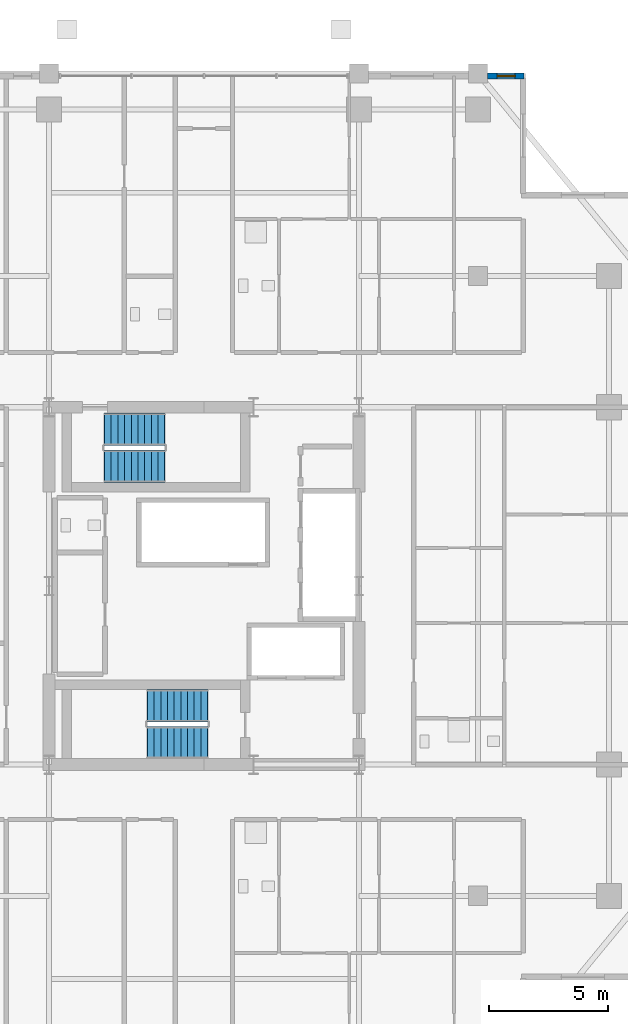
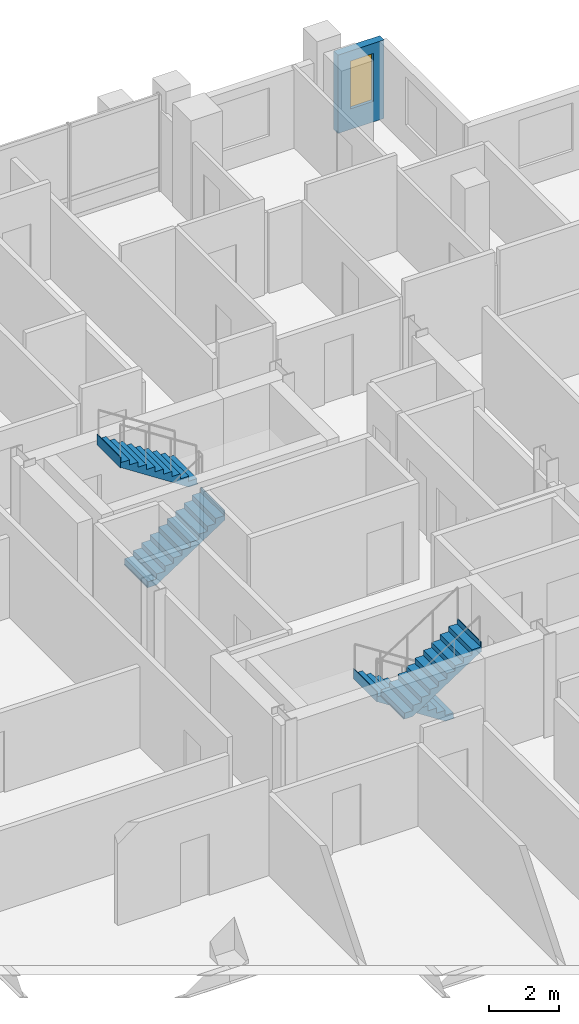
# One storey, part 22 of 24: 4 stair flights, 1 wall, 1 window, 1 opening, 2 elements without a shape of their own.
"""IFC4 building model written with IfcOpenShell, lengths in metres."""

from ifc_helpers import new_model, si_unit, direction, frame, frame_2d, origin, place, context, subcontext, project, spatial, polyline, rectangle, outline, extrude, material, layer, layer_set, type_object, element, fill, aggregate, save


model = new_model("IFC4")

# Units and contexts
model_context = context("Model", 3, precision=1e-05, world=origin(), true_north=direction((0.0, 1.0)))
body_context = subcontext(model_context, "Body", "Model", "MODEL_VIEW")
ifc_project = project(units=[si_unit("LENGTHUNIT", "METRE"), si_unit("AREAUNIT", "SQUARE_METRE"), si_unit("VOLUMEUNIT", "CUBIC_METRE"), si_unit("PLANEANGLEUNIT", "RADIAN"), si_unit("MASSUNIT", "GRAM", prefix="KILO")], contexts=[model_context])

# Site, building, storey
site_placement = place(None, origin())
site = spatial("IfcSite", under=ifc_project, at=site_placement, CompositionType="ELEMENT")
building_placement = place(site_placement, origin())
building = spatial("IfcBuilding", under=site, at=building_placement, Name="Barlavira Tower and Art Museum", CompositionType="ELEMENT")
storey_placement = place(building_placement, frame((0.0, 0.0, 180.0)))
storey = spatial("IfcBuildingStorey", under=building, at=storey_placement, Name="L46", CompositionType="ELEMENT", Elevation=180.0)

# Wall, opening, window
ifc_material_1 = material(Name="Precast concrete C40", Category="concrete")
ifc_layer = layer(ifc_material_1, 0.25, Name="Precast concrete C40")
ifc_layer_set = layer_set([ifc_layer], Name="Precast concrete C40")
wall_type = type_object("IfcWallType", Name="Notched Corner Spandrel Wall 250 Precast Concrete C40", PredefinedType="SOLIDWALL", material=ifc_layer_set)
wall_placement = place(storey_placement, frame((13.425048828125, 21.39990234375, 0.0), z_axis=(0.0, 0.0, 1.0), x_axis=(-1.0, 0.0, 0.0)))
wall = element("IfcWall", 1, at=wall_placement, inside=storey, type_object=wall_type, Name="L46 Coastal Facade Pier Wall CW3-L46-N-1", PredefinedType="SOLIDWALL", context=body_context, shape_type="SweptSolid", body=[
    extrude(rectangle(XDim=1.530029296875, YDim=0.25, at=frame_2d((0.76513671875, 0.0))), origin(), (0.0, 0.0, 1.0), 2.748046875),
])
opening_placement = place(wall_placement, frame((0.363037109375, 0.0, 0.719970703125)))
opening = element("IfcOpeningElement", 2, at=opening_placement, cuts=wall, Name="Opening WN-06", PredefinedType="OPENING", context=body_context, shape_type="SweptSolid", body=[
    extrude(rectangle(XDim=0.760009765625, YDim=1.679931640625, at=frame_2d((0.3798828125, 0.83984375))), frame((0.0, 0.135009765625, 0.0), z_axis=(0.0, -1.0, 0.0), x_axis=(1.0, 0.0, 0.0)), (0.0, 0.0, 1.0), 0.27001953125),
])
ifc_material_2 = material(Name="Low-iron coastal laminated glass", Category="glass")
window_type = type_object("IfcWindowType", Name="Recessed Narrow Pier Window 760x1680", PartitioningType="SINGLE_PANEL", PredefinedType="WINDOW", material=ifc_material_2)
window_placement = place(opening_placement, origin())
window = element("IfcWindow", 3, at=window_placement, inside=storey, type_object=window_type, Name="L46 Punched Facade Window EWP-CW3-L46-N-1-1", OverallHeight=1.679931640625, OverallWidth=0.760009765625, PartitioningType="SINGLE_PANEL", PredefinedType="WINDOW", context=body_context, shape_type="SweptSolid", body=[
    extrude(rectangle(XDim=0.760009765625, YDim=1.679931640625, at=frame_2d((0.3798828125, 0.83984375))), frame((0.0, 0.030029296875, 0.0), z_axis=(0.0, -1.0, 0.0), x_axis=(1.0, 0.0, 0.0)), (0.0, 0.0, 1.0), 0.06005859375),
])
fill(opening, window)

# Stair, stair flights
ifc_material_3 = material(Name="Concrete C45", Category="concrete")
stair_type_1 = type_object("IfcStairType", Name="Tower North Dog-Leg Exit Stair Assembly Concrete C45", PredefinedType="TWO_QUARTER_TURN_STAIR", material=ifc_material_3)
stair_1_placement = place(storey_placement, origin())
stair_1 = element("IfcStair", 4, at=stair_1_placement, inside=storey, type_object=stair_type_1, Name="L46 Tower North Exit Stair ST-T2", PredefinedType="TWO_QUARTER_TURN_STAIR")
ifc_material_4 = material(Name="Precast concrete C45", Category="concrete")
stair_flight_type_1 = type_object("IfcStairFlightType", Name="Tower North Dog-Leg Exit Stair Precast Flight 1350 Concrete C45", PredefinedType="STRAIGHT", material=ifc_material_4)
stair_flight_1_placement = place(storey_placement, frame((-4.169921875, 5.02490234375, 0.0), z_axis=(0.0, 0.0, 1.0), x_axis=(1.0, 0.0, 0.0)))
stair_flight_1 = element("IfcStairFlight", 5, at=stair_flight_1_placement, type_object=stair_flight_type_1, Name="ST-T2 flight 1", NumberOfRisers=10, NumberOfTreads=9, PredefinedType="STRAIGHT", RiserHeight=0.18, TreadLength=0.28, context=body_context, shape_type="SweptSolid", body=[
    extrude(outline(polyline([(-0.02490234375, 0.0), (0.0, 0.0), (0.0, 0.179931640625), (0.280029296875, 0.179931640625), (0.280029296875, 0.360107421875), (0.56005859375, 0.360107421875), (0.56005859375, 0.5400390625), (0.840087890625, 0.5400390625), (0.840087890625, 0.719970703125), (1.1201171875, 0.719970703125), (1.1201171875, 0.89990234375), (1.39990234375, 0.89990234375), (1.39990234375, 1.080078125), (1.679931640625, 1.080078125), (1.679931640625, 1.260009765625), (1.9599609375, 1.260009765625), (1.9599609375, 1.43994140625), (2.239990234375, 1.43994140625), (2.239990234375, 1.6201171875), (2.52001953125, 1.6201171875), (2.52001953125, 1.800048828125), (2.544921875, 1.800048828125), (2.544921875, 1.44189453125), (2.52001953125, 1.44189453125), (0.277099609375, -0.02490234375), (-0.02490234375, -0.02490234375), (-0.02490234375, 0.0)])), frame((0.0, 0.675048828125, 0.0), z_axis=(0.0, -1.0, 0.0), x_axis=(1.0, 0.0, 0.0)), (0.0, 0.0, 1.0), 1.35009765625),
])
stair_flight_2_placement = place(storey_placement, frame((-1.64990234375, 6.574951171875, 1.800048828125), z_axis=(0.0, 0.0, 1.0), x_axis=(-1.0, 0.0, 0.0)))
stair_flight_2 = element("IfcStairFlight", 6, at=stair_flight_2_placement, type_object=stair_flight_type_1, Name="ST-T2 flight 2", NumberOfRisers=10, NumberOfTreads=9, PredefinedType="STRAIGHT", RiserHeight=0.18, TreadLength=0.28, context=body_context, shape_type="SweptSolid", body=[
    extrude(outline(polyline([(-0.02490234375, 0.0), (0.0, 0.0), (0.0, 0.179931640625), (0.280029296875, 0.179931640625), (0.280029296875, 0.360107421875), (0.56005859375, 0.360107421875), (0.56005859375, 0.5400390625), (0.840087890625, 0.5400390625), (0.840087890625, 0.719970703125), (1.1201171875, 0.719970703125), (1.1201171875, 0.89990234375), (1.39990234375, 0.89990234375), (1.39990234375, 1.080078125), (1.679931640625, 1.080078125), (1.679931640625, 1.260009765625), (1.9599609375, 1.260009765625), (1.9599609375, 1.43994140625), (2.239990234375, 1.43994140625), (2.239990234375, 1.6201171875), (2.52001953125, 1.6201171875), (2.52001953125, 1.800048828125), (2.544921875, 1.800048828125), (2.544921875, 1.44189453125), (2.52001953125, 1.44189453125), (0.277099609375, -0.02490234375), (-0.02490234375, -0.02490234375), (-0.02490234375, 0.0)])), frame((0.0, 0.675048828125, 0.0), z_axis=(0.0, -1.0, 0.0), x_axis=(1.0, 0.0, 0.0)), (0.0, 0.0, 1.0), 1.35009765625),
])
aggregate(stair_1, [stair_flight_1, stair_flight_2])

stair_type_2 = type_object("IfcStairType", Name="Tower South Dog-Leg Exit Stair Assembly Concrete C45", PredefinedType="TWO_QUARTER_TURN_STAIR", material=ifc_material_3)
stair_2_placement = place(storey_placement, origin())
stair_2 = element("IfcStair", 7, at=stair_2_placement, inside=storey, type_object=stair_type_2, Name="L46 Tower South Exit Stair ST-T1", PredefinedType="TWO_QUARTER_TURN_STAIR")
stair_flight_type_2 = type_object("IfcStairFlightType", Name="Tower South Dog-Leg Exit Stair Precast Flight 1350 Concrete C45", PredefinedType="STRAIGHT", material=ifc_material_4)
stair_flight_3_placement = place(storey_placement, frame((0.14990234375, -5.02490234375, 0.0), z_axis=(0.0, 0.0, 1.0), x_axis=(-1.0, 0.0, 0.0)))
stair_flight_3 = element("IfcStairFlight", 8, at=stair_flight_3_placement, type_object=stair_flight_type_2, Name="ST-T1 flight 1", NumberOfRisers=10, NumberOfTreads=9, PredefinedType="STRAIGHT", RiserHeight=0.18, TreadLength=0.28, context=body_context, shape_type="SweptSolid", body=[
    extrude(outline(polyline([(-0.02490234375, 0.0), (0.0, 0.0), (0.0, 0.179931640625), (0.280029296875, 0.179931640625), (0.280029296875, 0.360107421875), (0.56005859375, 0.360107421875), (0.56005859375, 0.5400390625), (0.840087890625, 0.5400390625), (0.840087890625, 0.719970703125), (1.1201171875, 0.719970703125), (1.1201171875, 0.89990234375), (1.39990234375, 0.89990234375), (1.39990234375, 1.080078125), (1.679931640625, 1.080078125), (1.679931640625, 1.260009765625), (1.9599609375, 1.260009765625), (1.9599609375, 1.43994140625), (2.239990234375, 1.43994140625), (2.239990234375, 1.6201171875), (2.52001953125, 1.6201171875), (2.52001953125, 1.800048828125), (2.544921875, 1.800048828125), (2.544921875, 1.44189453125), (2.52001953125, 1.44189453125), (0.277099609375, -0.02490234375), (-0.02490234375, -0.02490234375), (-0.02490234375, 0.0)])), frame((0.0, 0.675048828125, 0.0), z_axis=(0.0, -1.0, 0.0), x_axis=(1.0, 0.0, 0.0)), (0.0, 0.0, 1.0), 1.35009765625),
])
stair_flight_4_placement = place(storey_placement, frame((-2.3701171875, -6.574951171875, 1.800048828125), z_axis=(0.0, 0.0, 1.0), x_axis=(1.0, 0.0, 0.0)))
stair_flight_4 = element("IfcStairFlight", 9, at=stair_flight_4_placement, type_object=stair_flight_type_2, Name="ST-T1 flight 2", NumberOfRisers=10, NumberOfTreads=9, PredefinedType="STRAIGHT", RiserHeight=0.18, TreadLength=0.28, context=body_context, shape_type="SweptSolid", body=[
    extrude(outline(polyline([(-0.02490234375, 0.0), (0.0, 0.0), (0.0, 0.179931640625), (0.280029296875, 0.179931640625), (0.280029296875, 0.360107421875), (0.56005859375, 0.360107421875), (0.56005859375, 0.5400390625), (0.840087890625, 0.5400390625), (0.840087890625, 0.719970703125), (1.1201171875, 0.719970703125), (1.1201171875, 0.89990234375), (1.39990234375, 0.89990234375), (1.39990234375, 1.080078125), (1.679931640625, 1.080078125), (1.679931640625, 1.260009765625), (1.9599609375, 1.260009765625), (1.9599609375, 1.43994140625), (2.239990234375, 1.43994140625), (2.239990234375, 1.6201171875), (2.52001953125, 1.6201171875), (2.52001953125, 1.800048828125), (2.544921875, 1.800048828125), (2.544921875, 1.44189453125), (2.52001953125, 1.44189453125), (0.277099609375, -0.02490234375), (-0.02490234375, -0.02490234375), (-0.02490234375, 0.0)])), frame((0.0, 0.675048828125, 0.0), z_axis=(0.0, -1.0, 0.0), x_axis=(1.0, 0.0, 0.0)), (0.0, 0.0, 1.0), 1.35009765625),
])
aggregate(stair_2, [stair_flight_3, stair_flight_4])

save(model, "model.ifc")
